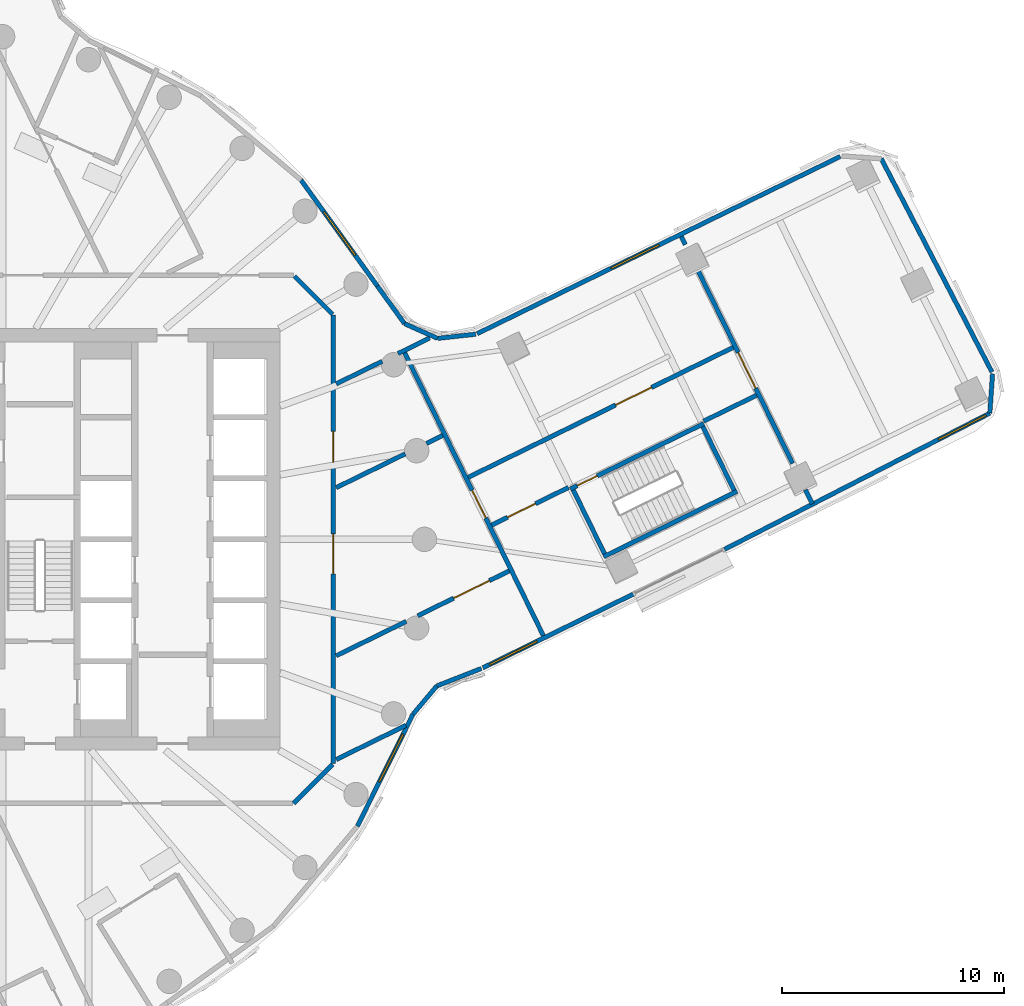
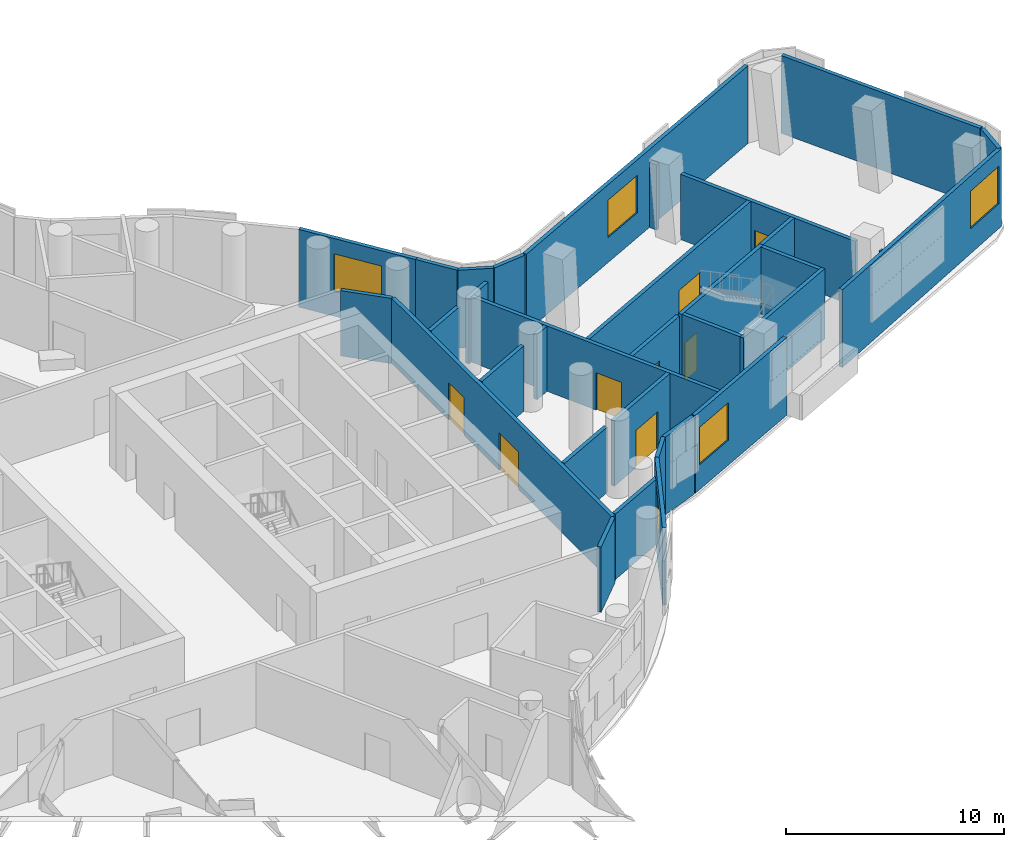
# One storey, part 14 of 23: 33 walls, 8 doors, 5 windows, 13 openings.
"""IFC4 building model written with IfcOpenShell, lengths in metres."""

from ifc_helpers import new_model, si_unit, direction, frame, frame_2d, origin, place, context, subcontext, project, spatial, polyline, rectangle, outline, extrude, material, layer, layer_set, type_object, element, fill, save


model = new_model("IFC4")

# Units and contexts
model_context = context("Model", 3, precision=1e-05, world=origin(), true_north=direction((0.0, 1.0)))
body_context = subcontext(model_context, "Body", "Model", "MODEL_VIEW")
ifc_project = project(units=[si_unit("LENGTHUNIT", "METRE"), si_unit("AREAUNIT", "SQUARE_METRE"), si_unit("VOLUMEUNIT", "CUBIC_METRE"), si_unit("PLANEANGLEUNIT", "RADIAN"), si_unit("MASSUNIT", "GRAM", prefix="KILO")], contexts=[model_context])

# Site, building, storey
site_placement = place(None, origin())
site = spatial("IfcSite", under=ifc_project, at=site_placement, CompositionType="ELEMENT")
building_placement = place(site_placement, origin())
building = spatial("IfcBuilding", under=site, at=building_placement, Name="Tamarind Cross Interchange Tower", CompositionType="ELEMENT")
storey_placement = place(building_placement, frame((0.0, 0.0, 128.5)))
storey = spatial("IfcBuildingStorey", under=building, at=storey_placement, Name="L31", CompositionType="ELEMENT", Elevation=128.5)

# Wall, opening, door
ifc_material_1 = material(Name="Gypsum board partition on steel studs", Category="steel")
ifc_layer_1 = layer(ifc_material_1, 0.199951171875)
ifc_layer_set_1 = layer_set([ifc_layer_1], Name="Gypsum board partition on steel studs")
wall_type_1 = type_object("IfcWallType", Name="Partition 200 mm EI 180", PredefinedType="PARTITIONING", material=ifc_layer_set_1)
wall_1_placement = place(storey_placement, frame((22.110107421875, 8.4072265625, 0.0), z_axis=(0.0, 0.0, 1.0), x_axis=(0.440239849569, -0.897880211861, 0.0)))
wall_1 = element("IfcWall", 1, at=wall_1_placement, inside=storey, type_object=wall_type_1, Name="Partition L31-028", PredefinedType="PARTITIONING", context=body_context, shape_type="SweptSolid", body=[
    extrude(rectangle(XDim=14.198974609375, YDim=0.199951171875, at=frame_2d((7.099609375, 0.0))), origin(), (0.0, 0.0, 1.0), 3.659912109375),
])
opening_1_placement = place(wall_1_placement, frame((6.900634765625, 0.0, 0.0)))
opening_1 = element("IfcOpeningElement", 2, at=opening_1_placement, cuts=wall_1, Name="Opening D15", PredefinedType="OPENING", context=body_context, shape_type="SweptSolid", body=[
    extrude(rectangle(XDim=1.39990234375, YDim=2.10009765625, at=frame_2d((0.699951171875, 1.050048828125))), frame((0.0, 0.10986328125, 0.0), z_axis=(0.0, -1.0, 0.0), x_axis=(1.0, 0.0, 0.0)), (0.0, 0.0, 1.0), 0.219970703125),
])
ifc_material_2 = material(Name="Fire-resisting door set")
door_type_1 = type_object("IfcDoorType", Name="Interior door 1400 x 2100 FD120S", OperationType="DOUBLE_DOOR_SINGLE_SWING", PredefinedType="DOOR", material=ifc_material_2)
door_1_placement = place(opening_1_placement, frame((1.39990234375, 0.0, 0.0), z_axis=(0.0, 0.0, 1.0), x_axis=(-1.0, 0.0, 0.0)))
door_1 = element("IfcDoor", 3, at=door_1_placement, inside=storey, type_object=door_type_1, Name="Door D15", OperationType="DOUBLE_DOOR_SINGLE_SWING", OverallHeight=2.10009765625, OverallWidth=1.39990234375, PredefinedType="DOOR", context=body_context, shape_type="SweptSolid", body=[
    extrude(rectangle(XDim=1.39990234375, YDim=2.10009765625, at=frame_2d((0.699951171875, 1.050048828125))), frame((0.0, 0.02490234375, 0.0), z_axis=(0.0, -1.0, 0.0), x_axis=(1.0, 0.0, 0.0)), (0.0, 0.0, 1.0), 0.050048828125),
])
fill(opening_1, door_1)

# Wall
wall_2_placement = place(storey_placement, frame((34.57763671875, 13.644775390625, 0.0), z_axis=(0.0, 0.0, 1.0), x_axis=(0.440005579775, -0.897995038832, 0.0)))
element("IfcWall", 4, at=wall_2_placement, inside=storey, type_object=wall_type_1, Name="Partition L31-029", PredefinedType="PARTITIONING", context=body_context, shape_type="SweptSolid", body=[
    extrude(rectangle(XDim=0.4072265625, YDim=0.199951171875, at=frame_2d((0.20361328125, 0.0))), origin(), (0.0, 0.0, 1.0), 3.659912109375),
])

# Wall, opening, door
wall_3_placement = place(storey_placement, frame((35.336181640625, 12.097900390625, 0.0), z_axis=(0.0, 0.0, 1.0), x_axis=(0.440228692366, -0.897885682266, 0.0)))
wall_3 = element("IfcWall", 5, at=wall_3_placement, inside=storey, type_object=wall_type_1, Name="Partition L31-030", PredefinedType="PARTITIONING", context=body_context, shape_type="SweptSolid", body=[
    extrude(rectangle(XDim=9.665771484375, YDim=0.199951171875, at=frame_2d((4.8330078125, 0.0))), origin(), (0.0, 0.0, 1.0), 3.659912109375),
])
opening_2_placement = place(wall_3_placement, frame((4.0908203125, 0.0, 0.0)))
opening_2 = element("IfcOpeningElement", 6, at=opening_2_placement, cuts=wall_3, Name="Opening D16", PredefinedType="OPENING", context=body_context, shape_type="SweptSolid", body=[
    extrude(rectangle(XDim=1.800048828125, YDim=2.10009765625, at=frame_2d((0.89990234375, 1.050048828125))), frame((0.0, 0.10986328125, 0.0), z_axis=(0.0, -1.0, 0.0), x_axis=(1.0, 0.0, 0.0)), (0.0, 0.0, 1.0), 0.219970703125),
])
door_type_2 = type_object("IfcDoorType", Name="Interior door 1800 x 2100 FD120S", OperationType="DOUBLE_DOOR_SINGLE_SWING", PredefinedType="DOOR", material=ifc_material_2)
door_2_placement = place(opening_2_placement, origin())
door_2 = element("IfcDoor", 7, at=door_2_placement, inside=storey, type_object=door_type_2, Name="Door D16", OperationType="DOUBLE_DOOR_SINGLE_SWING", OverallHeight=2.10009765625, OverallWidth=1.800048828125, PredefinedType="DOOR", context=body_context, shape_type="SweptSolid", body=[
    extrude(rectangle(XDim=1.800048828125, YDim=2.10009765625, at=frame_2d((0.89990234375, 1.050048828125))), frame((0.0, 0.02490234375, 0.0), z_axis=(0.0, -1.0, 0.0), x_axis=(1.0, 0.0, 0.0)), (0.0, 0.0, 1.0), 0.050048828125),
])
fill(opening_2, door_2)

# Walls
wall_4_placement = place(storey_placement, frame((40.171142578125, 2.236572265625, 0.0), z_axis=(0.0, 0.0, 1.0), x_axis=(0.440157217023, -0.897920722727, 0.0)))
element("IfcWall", 8, at=wall_4_placement, inside=storey, type_object=wall_type_1, Name="Partition L31-031", PredefinedType="PARTITIONING", context=body_context, shape_type="SweptSolid", body=[
    extrude(rectangle(XDim=0.707275390625, YDim=0.199951171875, at=frame_2d((0.353515625, 0.0))), origin(), (0.0, 0.0, 1.0), 3.659912109375),
])
wall_5_placement = place(storey_placement, frame((17.142333984375, 11.857666015625, 0.0), z_axis=(0.0, 0.0, 1.0), x_axis=(0.707106781187, -0.707106781187, 0.0)))
element("IfcWall", 9, at=wall_5_placement, inside=storey, type_object=wall_type_1, Name="Partition L31-033", PredefinedType="PARTITIONING", context=body_context, shape_type="SweptSolid", body=[
    extrude(rectangle(XDim=2.42578125, YDim=0.199951171875, at=frame_2d((1.212890625, 0.0))), origin(), (0.0, 0.0, 1.0), 3.659912109375),
])
wall_6_placement = place(storey_placement, frame((19.025634765625, -9.92236328125, 0.0), z_axis=(0.0, 0.0, 1.0), x_axis=(0.897982311867, 0.44003155293, 0.0)))
element("IfcWall", 10, at=wall_6_placement, inside=storey, type_object=wall_type_1, Name="Partition L31-060", PredefinedType="PARTITIONING", context=body_context, shape_type="SweptSolid", body=[
    extrude(rectangle(XDim=3.50146484375, YDim=0.199951171875, at=frame_2d((1.750732421875, 0.0))), origin(), (0.0, 0.0, 1.0), 3.659912109375),
])
wall_7_placement = place(storey_placement, frame((19.025634765625, -5.245361328125, 0.0), z_axis=(0.0, 0.0, 1.0), x_axis=(0.897873346888, 0.440253850578, 0.0)))
element("IfcWall", 11, at=wall_7_placement, inside=storey, type_object=wall_type_1, Name="Partition L31-061", PredefinedType="PARTITIONING", context=body_context, shape_type="SweptSolid", body=[
    extrude(rectangle(XDim=3.5146484375, YDim=0.199951171875, at=frame_2d((1.75732421875, 0.0))), origin(), (0.0, 0.0, 1.0), 3.659912109375),
])

# Wall, opening, door
wall_8_placement = place(storey_placement, frame((22.695556640625, -3.446044921875, 0.0), z_axis=(0.0, 0.0, 1.0), x_axis=(0.897866336824, 0.440268146926, 0.0)))
wall_8 = element("IfcWall", 12, at=wall_8_placement, inside=storey, type_object=wall_type_1, Name="Partition L31-062", PredefinedType="PARTITIONING", context=body_context, shape_type="SweptSolid", body=[
    extrude(rectangle(XDim=4.592529296875, YDim=0.199951171875, at=frame_2d((2.29638671875, 0.0))), origin(), (0.0, 0.0, 1.0), 3.659912109375),
])
opening_3_placement = place(wall_8_placement, frame((1.800048828125, 0.0, 0.0)))
opening_3 = element("IfcOpeningElement", 13, at=opening_3_placement, cuts=wall_8, Name="Opening D30", PredefinedType="OPENING", context=body_context, shape_type="SweptSolid", body=[
    extrude(rectangle(XDim=1.800048828125, YDim=2.10009765625, at=frame_2d((0.89990234375, 1.050048828125))), frame((0.0, 0.10986328125, 0.0), z_axis=(0.0, -1.0, 0.0), x_axis=(1.0, 0.0, 0.0)), (0.0, 0.0, 1.0), 0.219970703125),
])
door_3_placement = place(opening_3_placement, frame((1.800048828125, 0.0, 0.0), z_axis=(0.0, 0.0, 1.0), x_axis=(-1.0, 0.0, 0.0)))
door_3 = element("IfcDoor", 14, at=door_3_placement, inside=storey, type_object=door_type_2, Name="Door D30", OperationType="DOUBLE_DOOR_SINGLE_SWING", OverallHeight=2.10009765625, OverallWidth=1.800048828125, PredefinedType="DOOR", context=body_context, shape_type="SweptSolid", body=[
    extrude(rectangle(XDim=1.800048828125, YDim=2.10009765625, at=frame_2d((0.89990234375, 1.050048828125))), frame((0.0, 0.02490234375, 0.0), z_axis=(0.0, -1.0, 0.0), x_axis=(1.0, 0.0, 0.0)), (0.0, 0.0, 1.0), 0.050048828125),
])
fill(opening_3, door_3)

# Walls
wall_9_placement = place(storey_placement, frame((19.025634765625, 2.32861328125, 0.0), z_axis=(0.0, 0.0, 1.0), x_axis=(0.89787528657, 0.440249894681, 0.0)))
element("IfcWall", 15, at=wall_9_placement, inside=storey, type_object=wall_type_1, Name="Partition L31-063", PredefinedType="PARTITIONING", context=body_context, shape_type="SweptSolid", body=[
    extrude(rectangle(XDim=3.45654296875, YDim=0.199951171875, at=frame_2d((1.728271484375, 0.0))), origin(), (0.0, 0.0, 1.0), 3.659912109375),
])
wall_10_placement = place(storey_placement, frame((23.088623046875, 4.32080078125, 0.0), z_axis=(0.0, 0.0, 1.0), x_axis=(0.897911496946, 0.440176037117, 0.0)))
element("IfcWall", 16, at=wall_10_placement, inside=storey, type_object=wall_type_1, Name="Partition L31-064", PredefinedType="PARTITIONING", context=body_context, shape_type="SweptSolid", body=[
    extrude(rectangle(XDim=0.8203125, YDim=0.199951171875, at=frame_2d((0.41015625, 0.0))), origin(), (0.0, 0.0, 1.0), 3.659912109375),
])
wall_11_placement = place(storey_placement, frame((19.025634765625, 7.005615234375, 0.0), z_axis=(0.0, 0.0, 1.0), x_axis=(0.897792572547, 0.440418547156, 0.0)))
element("IfcWall", 17, at=wall_11_placement, inside=storey, type_object=wall_type_1, Name="Partition L31-065", PredefinedType="PARTITIONING", context=body_context, shape_type="SweptSolid", body=[
    extrude(rectangle(XDim=2.3037109375, YDim=0.199951171875, at=frame_2d((1.15185546875, 0.0))), origin(), (0.0, 0.0, 1.0), 3.659912109375),
])
wall_12_placement = place(storey_placement, frame((21.81298828125, 8.372802734375, 0.0), z_axis=(0.0, 0.0, 1.0), x_axis=(0.897760672244, 0.440483569924, 0.0)))
element("IfcWall", 18, at=wall_12_placement, inside=storey, type_object=wall_type_1, Name="Partition L31-066", PredefinedType="PARTITIONING", context=body_context, shape_type="SweptSolid", body=[
    extrude(rectangle(XDim=1.584716796875, YDim=0.199951171875, at=frame_2d((0.79248046875, 0.0))), origin(), (0.0, 0.0, 1.0), 3.659912109375),
])

# Wall, opening, door
wall_13_placement = place(storey_placement, frame((24.973876953125, 2.7939453125, 0.0), z_axis=(0.0, 0.0, 1.0), x_axis=(0.897851576161, 0.440298247992, 0.0)))
wall_13 = element("IfcWall", 19, at=wall_13_placement, inside=storey, type_object=wall_type_1, Name="Partition L31-067", PredefinedType="PARTITIONING", context=body_context, shape_type="SweptSolid", body=[
    extrude(rectangle(XDim=13.300048828125, YDim=0.199951171875, at=frame_2d((6.64990234375, 0.0))), origin(), (0.0, 0.0, 1.0), 3.659912109375),
])
opening_4_placement = place(wall_13_placement, frame((7.39990234375, 0.0, 0.0)))
opening_4 = element("IfcOpeningElement", 20, at=opening_4_placement, cuts=wall_13, Name="Opening D31", PredefinedType="OPENING", context=body_context, shape_type="SweptSolid", body=[
    extrude(rectangle(XDim=1.800048828125, YDim=2.10009765625, at=frame_2d((0.89990234375, 1.050048828125))), frame((0.0, 0.10986328125, 0.0), z_axis=(0.0, -1.0, 0.0), x_axis=(1.0, 0.0, 0.0)), (0.0, 0.0, 1.0), 0.219970703125),
])
door_4_placement = place(opening_4_placement, origin())
door_4 = element("IfcDoor", 21, at=door_4_placement, inside=storey, type_object=door_type_2, Name="Door D31", OperationType="DOUBLE_DOOR_SINGLE_SWING", OverallHeight=2.10009765625, OverallWidth=1.800048828125, PredefinedType="DOOR", context=body_context, shape_type="SweptSolid", body=[
    extrude(rectangle(XDim=1.800048828125, YDim=2.10009765625, at=frame_2d((0.89990234375, 1.050048828125))), frame((0.0, 0.02490234375, 0.0), z_axis=(0.0, -1.0, 0.0), x_axis=(1.0, 0.0, 0.0)), (0.0, 0.0, 1.0), 0.050048828125),
])
fill(opening_4, door_4)

wall_14_placement = place(storey_placement, frame((26.02978515625, 0.639892578125, 0.0), z_axis=(0.0, 0.0, 1.0), x_axis=(0.897879053164, 0.440242212753, 0.0)))
wall_14 = element("IfcWall", 22, at=wall_14_placement, inside=storey, type_object=wall_type_1, Name="Partition L31-068", PredefinedType="PARTITIONING", context=body_context, shape_type="SweptSolid", body=[
    extrude(rectangle(XDim=3.859619140625, YDim=0.199951171875, at=frame_2d((1.9296875, 0.0))), origin(), (0.0, 0.0, 1.0), 3.659912109375),
])
opening_5_placement = place(wall_14_placement, frame((0.800048828125, 0.0, 0.0)))
opening_5 = element("IfcOpeningElement", 23, at=opening_5_placement, cuts=wall_14, Name="Opening D32", PredefinedType="OPENING", context=body_context, shape_type="SweptSolid", body=[
    extrude(rectangle(XDim=1.39990234375, YDim=2.10009765625, at=frame_2d((0.699951171875, 1.050048828125))), frame((0.0, 0.10986328125, 0.0), z_axis=(0.0, -1.0, 0.0), x_axis=(1.0, 0.0, 0.0)), (0.0, 0.0, 1.0), 0.219970703125),
])
door_5_placement = place(opening_5_placement, frame((1.39990234375, 0.0, 0.0), z_axis=(0.0, 0.0, 1.0), x_axis=(-1.0, 0.0, 0.0)))
door_5 = element("IfcDoor", 24, at=door_5_placement, inside=storey, type_object=door_type_1, Name="Door D32", OperationType="DOUBLE_DOOR_SINGLE_SWING", OverallHeight=2.10009765625, OverallWidth=1.39990234375, PredefinedType="DOOR", context=body_context, shape_type="SweptSolid", body=[
    extrude(rectangle(XDim=1.39990234375, YDim=2.10009765625, at=frame_2d((0.699951171875, 1.050048828125))), frame((0.0, 0.02490234375, 0.0), z_axis=(0.0, -1.0, 0.0), x_axis=(1.0, 0.0, 0.0)), (0.0, 0.0, 1.0), 0.050048828125),
])
fill(opening_5, door_5)

# Walls
wall_15_placement = place(storey_placement, frame((35.58349609375, 5.323974609375, 0.0), z_axis=(0.0, 0.0, 1.0), x_axis=(0.897887294563, 0.440225403927, 0.0)))
element("IfcWall", 25, at=wall_15_placement, inside=storey, type_object=wall_type_1, Name="Partition L31-069", PredefinedType="PARTITIONING", context=body_context, shape_type="SweptSolid", body=[
    extrude(rectangle(XDim=2.660400390625, YDim=0.199951171875, at=frame_2d((1.330078125, 0.0))), origin(), (0.0, 0.0, 1.0), 3.659912109375),
])
wall_16_placement = place(storey_placement, frame((17.10009765625, -11.89990234375, 0.0), z_axis=(0.0, 0.0, 1.0), x_axis=(0.707106781187, 0.707106781187, 0.0)))
element("IfcWall", 26, at=wall_16_placement, inside=storey, type_object=wall_type_1, Name="Partition L31-071", PredefinedType="PARTITIONING", context=body_context, shape_type="SweptSolid", body=[
    extrude(rectangle(XDim=2.485595703125, YDim=0.199951171875, at=frame_2d((1.24267578125, 0.0))), origin(), (0.0, 0.0, 1.0), 3.659912109375),
])

# Wall, openings, doors
wall_17_placement = place(storey_placement, frame((18.89990234375, -10.10009765625, 0.0), z_axis=(0.0, 0.0, 1.0), x_axis=(0.0, 1.0, 0.0)))
wall_17 = element("IfcWall", 27, at=wall_17_placement, inside=storey, type_object=wall_type_1, Name="Partition L31-073", PredefinedType="PARTITIONING", context=body_context, shape_type="SweptSolid", body=[
    extrude(rectangle(XDim=20.2001953125, YDim=0.199951171875, at=frame_2d((10.10009765625, 0.0))), origin(), (0.0, 0.0, 1.0), 3.659912109375),
])
opening_6_placement = place(wall_17_placement, frame((8.54296875, 0.0, 0.0)))
opening_6 = element("IfcOpeningElement", 28, at=opening_6_placement, cuts=wall_17, Name="Opening D35", PredefinedType="OPENING", context=body_context, shape_type="SweptSolid", body=[
    extrude(rectangle(XDim=1.800048828125, YDim=2.10009765625, at=frame_2d((0.89990234375, 1.050048828125))), frame((0.0, 0.10986328125, 0.0), z_axis=(0.0, -1.0, 0.0), x_axis=(1.0, 0.0, 0.0)), (0.0, 0.0, 1.0), 0.219970703125),
])
opening_7_placement = place(wall_17_placement, frame((13.56689453125, 0.0, 0.0)))
opening_7 = element("IfcOpeningElement", 29, at=opening_7_placement, cuts=wall_17, Name="Opening D36", PredefinedType="OPENING", context=body_context, shape_type="SweptSolid", body=[
    extrude(rectangle(XDim=1.39990234375, YDim=2.10009765625, at=frame_2d((0.699951171875, 1.050048828125))), frame((0.0, 0.10986328125, 0.0), z_axis=(0.0, -1.0, 0.0), x_axis=(1.0, 0.0, 0.0)), (0.0, 0.0, 1.0), 0.219970703125),
])
door_6_placement = place(opening_7_placement, frame((1.39990234375, 0.0, 0.0), z_axis=(0.0, 0.0, 1.0), x_axis=(-1.0, 0.0, 0.0)))
door_6 = element("IfcDoor", 30, at=door_6_placement, inside=storey, type_object=door_type_1, Name="Door D36", OperationType="DOUBLE_DOOR_SINGLE_SWING", OverallHeight=2.10009765625, OverallWidth=1.39990234375, PredefinedType="DOOR", context=body_context, shape_type="SweptSolid", body=[
    extrude(rectangle(XDim=1.39990234375, YDim=2.10009765625, at=frame_2d((0.699951171875, 1.050048828125))), frame((0.0, 0.02490234375, 0.0), z_axis=(0.0, -1.0, 0.0), x_axis=(1.0, 0.0, 0.0)), (0.0, 0.0, 1.0), 0.050048828125),
])
fill(opening_7, door_6)
door_7_placement = place(opening_6_placement, origin())
door_7 = element("IfcDoor", 31, at=door_7_placement, inside=storey, type_object=door_type_2, Name="Door D35", OperationType="DOUBLE_DOOR_SINGLE_SWING", OverallHeight=2.10009765625, OverallWidth=1.800048828125, PredefinedType="DOOR", context=body_context, shape_type="SweptSolid", body=[
    extrude(rectangle(XDim=1.800048828125, YDim=2.10009765625, at=frame_2d((0.89990234375, 1.050048828125))), frame((0.0, 0.02490234375, 0.0), z_axis=(0.0, -1.0, 0.0), x_axis=(1.0, 0.0, 0.0)), (0.0, 0.0, 1.0), 0.050048828125),
])
fill(opening_6, door_7)

# Wall, opening, window
ifc_material_3 = material(Name="Precast concrete C40", Category="concrete")
ifc_layer_2 = layer(ifc_material_3, 0.199951171875)
ifc_layer_set_2 = layer_set([ifc_layer_2], Name="Precast concrete C40")
wall_type_2 = type_object("IfcWallType", Name="Refuge level external wall", PredefinedType="SOLIDWALL", material=ifc_layer_set_2)
wall_18_placement = place(storey_placement, frame((19.976806640625, -12.92919921875, 0.0), z_axis=(0.0, 0.0, 1.0), x_axis=(0.444924691548, 0.895567986727, 0.0)))
wall_18 = element("IfcWall", 32, at=wall_18_placement, inside=storey, type_object=wall_type_2, Name="RFW-L31-06-05", PredefinedType="SOLIDWALL", context=body_context, shape_type="SweptSolid", body=[
    extrude(rectangle(XDim=5.635498046875, YDim=0.199951171875, at=frame_2d((2.81787109375, 0.0))), origin(), (0.0, 0.0, 1.0), 4.360107421875),
])
opening_8_placement = place(wall_18_placement, frame((2.22998046875, 0.0, 1.39990234375)))
opening_8 = element("IfcOpeningElement", 33, at=opening_8_placement, cuts=wall_18, Name="Opening W3", PredefinedType="OPENING", context=body_context, shape_type="SweptSolid", body=[
    extrude(rectangle(XDim=2.39990234375, YDim=2.10009765625, at=frame_2d((1.199951171875, 1.050048828125))), frame((0.0, 0.10986328125, 0.0), z_axis=(0.0, -1.0, 0.0), x_axis=(1.0, 0.0, 0.0)), (0.0, 0.0, 1.0), 0.219970703125),
])
ifc_material_4 = material(Name="Aluminium and fire-resisting glass", Category="aluminium")
window_type = type_object("IfcWindowType", Name="Refuge rescue window", PartitioningType="DOUBLE_PANEL_VERTICAL", PredefinedType="WINDOW", material=ifc_material_4)
window_1_placement = place(opening_8_placement, origin())
window_1 = element("IfcWindow", 34, at=window_1_placement, inside=storey, type_object=window_type, Name="RSW-L31-06-03", OverallHeight=2.10009765625, OverallWidth=2.39990234375, PartitioningType="SINGLE_PANEL", PredefinedType="WINDOW", context=body_context, shape_type="SweptSolid", body=[
    extrude(rectangle(XDim=2.39990234375, YDim=2.10009765625, at=frame_2d((1.199951171875, 1.050048828125))), frame((0.0, 0.030029296875, 0.0), z_axis=(0.0, -1.0, 0.0), x_axis=(1.0, 0.0, 0.0)), (0.0, 0.0, 1.0), 0.06005859375),
])
fill(opening_8, window_1)

# Walls
wall_19_placement = place(storey_placement, frame((22.484130859375, -7.88232421875, 0.0), z_axis=(0.0, 0.0, 1.0), x_axis=(0.643982284825, 0.765040402091, 0.0)))
element("IfcWall", 35, at=wall_19_placement, inside=storey, type_object=wall_type_2, Name="RFW-L31-06-06", PredefinedType="SOLIDWALL", context=body_context, shape_type="SweptSolid", body=[
    extrude(rectangle(XDim=1.665771484375, YDim=0.199951171875, at=frame_2d((0.8330078125, 0.0))), origin(), (0.0, 0.0, 1.0), 4.360107421875),
])
wall_20_placement = place(storey_placement, frame((23.556884765625, -6.60791015625, 0.0), z_axis=(0.0, 0.0, 1.0), x_axis=(0.931034194342, 0.364931951145, 0.0)))
element("IfcWall", 36, at=wall_20_placement, inside=storey, type_object=wall_type_2, Name="RFW-L31-06-07", PredefinedType="SOLIDWALL", context=body_context, shape_type="SweptSolid", body=[
    extrude(rectangle(XDim=2.16015625, YDim=0.199951171875, at=frame_2d((1.080078125, 0.0))), origin(), (0.0, 0.0, 1.0), 4.360107421875),
])

# Wall, opening, window
wall_21_placement = place(storey_placement, frame((25.63232421875, -5.79248046875, 0.0), z_axis=(0.0, 0.0, 1.0), x_axis=(0.897873352821, 0.440253838477, 0.0)))
wall_21 = element("IfcWall", 37, at=wall_21_placement, inside=storey, type_object=wall_type_2, Name="RFW-L31-07-00", PredefinedType="SOLIDWALL", context=body_context, shape_type="SweptSolid", body=[
    extrude(rectangle(XDim=7.549560546875, YDim=0.199951171875, at=frame_2d((3.77490234375, 0.0))), origin(), (0.0, 0.0, 1.0), 4.360107421875),
])
opening_9_placement = place(wall_21_placement, frame((0.328369140625, 0.0, 1.39990234375)))
opening_9 = element("IfcOpeningElement", 38, at=opening_9_placement, cuts=wall_21, Name="Opening W3", PredefinedType="OPENING", context=body_context, shape_type="SweptSolid", body=[
    extrude(rectangle(XDim=2.39990234375, YDim=2.10009765625, at=frame_2d((1.199951171875, 1.050048828125))), frame((0.0, 0.10986328125, 0.0), z_axis=(0.0, -1.0, 0.0), x_axis=(1.0, 0.0, 0.0)), (0.0, 0.0, 1.0), 0.219970703125),
])
window_2_placement = place(opening_9_placement, origin())
window_2 = element("IfcWindow", 39, at=window_2_placement, inside=storey, type_object=window_type, Name="RSW-L31-07-00", OverallHeight=2.10009765625, OverallWidth=2.39990234375, PartitioningType="SINGLE_PANEL", PredefinedType="WINDOW", context=body_context, shape_type="SweptSolid", body=[
    extrude(rectangle(XDim=2.39990234375, YDim=2.10009765625, at=frame_2d((1.199951171875, 1.050048828125))), frame((0.0, 0.030029296875, 0.0), z_axis=(0.0, -1.0, 0.0), x_axis=(1.0, 0.0, 0.0)), (0.0, 0.0, 1.0), 0.06005859375),
])
fill(opening_9, window_2)

wall_22_placement = place(storey_placement, frame((36.516845703125, -0.455322265625, 0.0), z_axis=(0.0, 0.0, 1.0), x_axis=(0.889626637649, 0.456688565202, 0.0)))
wall_22 = element("IfcWall", 40, at=wall_22_placement, inside=storey, type_object=wall_type_2, Name="RFW-L31-07-10", PredefinedType="SOLIDWALL", context=body_context, shape_type="SweptSolid", body=[
    extrude(rectangle(XDim=13.445556640625, YDim=0.199951171875, at=frame_2d((6.72265625, 0.0))), origin(), (0.0, 0.0, 1.0), 4.360107421875),
])
opening_10_placement = place(wall_22_placement, frame((10.845458984375, 0.0, 1.39990234375)))
opening_10 = element("IfcOpeningElement", 41, at=opening_10_placement, cuts=wall_22, Name="Opening W3", PredefinedType="OPENING", context=body_context, shape_type="SweptSolid", body=[
    extrude(rectangle(XDim=2.39990234375, YDim=2.10009765625, at=frame_2d((1.199951171875, 1.050048828125))), frame((0.0, 0.10986328125, 0.0), z_axis=(0.0, -1.0, 0.0), x_axis=(1.0, 0.0, 0.0)), (0.0, 0.0, 1.0), 0.219970703125),
])
window_3_placement = place(opening_10_placement, origin())
window_3 = element("IfcWindow", 42, at=window_3_placement, inside=storey, type_object=window_type, Name="RSW-L31-07-05", OverallHeight=2.10009765625, OverallWidth=2.39990234375, PartitioningType="SINGLE_PANEL", PredefinedType="WINDOW", context=body_context, shape_type="SweptSolid", body=[
    extrude(rectangle(XDim=2.39990234375, YDim=2.10009765625, at=frame_2d((1.199951171875, 1.050048828125))), frame((0.0, 0.030029296875, 0.0), z_axis=(0.0, -1.0, 0.0), x_axis=(1.0, 0.0, 0.0)), (0.0, 0.0, 1.0), 0.06005859375),
])
fill(opening_10, window_3)

# Walls
wall_23_placement = place(storey_placement, frame((48.478271484375, 5.68505859375, 0.0), z_axis=(0.0, 0.0, 1.0), x_axis=(0.069512589978, 0.997581074317, 0.0)))
element("IfcWall", 43, at=wall_23_placement, inside=storey, type_object=wall_type_2, Name="RFW-L31-07-11", PredefinedType="SOLIDWALL", context=body_context, shape_type="SweptSolid", body=[
    extrude(rectangle(XDim=1.78076171875, YDim=0.199951171875, at=frame_2d((0.890380859375, 0.0))), origin(), (0.0, 0.0, 1.0), 4.360107421875),
])
wall_24_placement = place(storey_placement, frame((48.57666015625, 7.536376953125, 0.0), z_axis=(0.0, 0.0, 1.0), x_axis=(-0.460621707825, 0.887596553779, 0.0)))
element("IfcWall", 44, at=wall_24_placement, inside=storey, type_object=wall_type_2, Name="RFW-L31-08-00", PredefinedType="SOLIDWALL", context=body_context, shape_type="SweptSolid", body=[
    extrude(rectangle(XDim=10.833251953125, YDim=0.199951171875, at=frame_2d((5.41650390625, 0.0))), origin(), (0.0, 0.0, 1.0), 4.360107421875),
])

# Wall, opening, window
wall_25_placement = place(storey_placement, frame((41.735107421875, 17.250244140625, 0.0), z_axis=(0.0, 0.0, 1.0), x_axis=(-0.898694176935, -0.43857585016, 0.0)))
wall_25 = element("IfcWall", 45, at=wall_25_placement, inside=storey, type_object=wall_type_2, Name="RFW-L31-09-00", PredefinedType="SOLIDWALL", context=body_context, shape_type="SweptSolid", body=[
    extrude(rectangle(XDim=18.20068359375, YDim=0.199951171875, at=frame_2d((9.100341796875, 0.0))), origin(), (0.0, 0.0, 1.0), 4.360107421875),
])
opening_11_placement = place(wall_25_placement, frame((9.090576171875, 0.0, 1.39990234375)))
opening_11 = element("IfcOpeningElement", 46, at=opening_11_placement, cuts=wall_25, Name="Opening W3", PredefinedType="OPENING", context=body_context, shape_type="SweptSolid", body=[
    extrude(rectangle(XDim=2.39990234375, YDim=2.10009765625, at=frame_2d((1.199951171875, 1.050048828125))), frame((0.0, 0.10986328125, 0.0), z_axis=(0.0, -1.0, 0.0), x_axis=(1.0, 0.0, 0.0)), (0.0, 0.0, 1.0), 0.219970703125),
])
window_4_placement = place(opening_11_placement, origin())
window_4 = element("IfcWindow", 47, at=window_4_placement, inside=storey, type_object=window_type, Name="RSW-L31-09-02", OverallHeight=2.10009765625, OverallWidth=2.39990234375, PartitioningType="SINGLE_PANEL", PredefinedType="WINDOW", context=body_context, shape_type="SweptSolid", body=[
    extrude(rectangle(XDim=2.39990234375, YDim=2.10009765625, at=frame_2d((1.199951171875, 1.050048828125))), frame((0.0, 0.030029296875, 0.0), z_axis=(0.0, -1.0, 0.0), x_axis=(1.0, 0.0, 0.0)), (0.0, 0.0, 1.0), 0.06005859375),
])
fill(opening_11, window_4)

# Walls
wall_26_placement = place(storey_placement, frame((25.31298828125, 9.244384765625, 0.0), z_axis=(0.0, 0.0, 1.0), x_axis=(-0.993989934895, -0.109471500068, 0.0)))
element("IfcWall", 48, at=wall_26_placement, inside=storey, type_object=wall_type_2, Name="RFW-L31-10-00", PredefinedType="SOLIDWALL", context=body_context, shape_type="SweptSolid", body=[
    extrude(rectangle(XDim=1.730712890625, YDim=0.199951171875, at=frame_2d((0.865234375, 0.0))), origin(), (0.0, 0.0, 1.0), 4.360107421875),
])
wall_27_placement = place(storey_placement, frame((23.5927734375, 9.054931640625, 0.0), z_axis=(0.0, 0.0, 1.0), x_axis=(-0.913174690869, 0.407568379485, 0.0)))
element("IfcWall", 49, at=wall_27_placement, inside=storey, type_object=wall_type_2, Name="RFW-L31-10-01", PredefinedType="SOLIDWALL", context=body_context, shape_type="SweptSolid", body=[
    extrude(rectangle(XDim=1.631103515625, YDim=0.199951171875, at=frame_2d((0.8154296875, 0.0))), origin(), (0.0, 0.0, 1.0), 4.360107421875),
])
wall_28_placement = place(storey_placement, frame((22.103271484375, 9.7197265625, 0.0), z_axis=(0.0, 0.0, 1.0), x_axis=(-0.585383960687, 0.810756201685, 0.0)))
element("IfcWall", 50, at=wall_28_placement, inside=storey, type_object=wall_type_2, Name="RFW-L31-10-02", PredefinedType="SOLIDWALL", context=body_context, shape_type="SweptSolid", body=[
    extrude(rectangle(XDim=2.0908203125, YDim=0.199951171875, at=frame_2d((1.04541015625, 0.0))), origin(), (0.0, 0.0, 1.0), 4.360107421875),
])

# Wall, opening, window
wall_29_placement = place(storey_placement, frame((20.87939453125, 11.414794921875, 0.0), z_axis=(0.0, 0.0, 1.0), x_axis=(-0.584590889506, 0.811328226988, 0.0)))
wall_29 = element("IfcWall", 51, at=wall_29_placement, inside=storey, type_object=wall_type_2, Name="RFW-L31-10-03", PredefinedType="SOLIDWALL", context=body_context, shape_type="SweptSolid", body=[
    extrude(rectangle(XDim=5.8876953125, YDim=0.199951171875, at=frame_2d((2.94384765625, 0.0))), origin(), (0.0, 0.0, 1.0), 4.360107421875),
])
opening_12_placement = place(wall_29_placement, frame((1.7099609375, 0.0, 1.39990234375)))
opening_12 = element("IfcOpeningElement", 52, at=opening_12_placement, cuts=wall_29, Name="Opening W3", PredefinedType="OPENING", context=body_context, shape_type="SweptSolid", body=[
    extrude(rectangle(XDim=2.39990234375, YDim=2.10009765625, at=frame_2d((1.199951171875, 1.050048828125))), frame((0.0, 0.10986328125, 0.0), z_axis=(0.0, -1.0, 0.0), x_axis=(1.0, 0.0, 0.0)), (0.0, 0.0, 1.0), 0.219970703125),
])
window_5_placement = place(opening_12_placement, origin())
window_5 = element("IfcWindow", 53, at=window_5_placement, inside=storey, type_object=window_type, Name="RSW-L31-10-01", OverallHeight=2.10009765625, OverallWidth=2.39990234375, PartitioningType="SINGLE_PANEL", PredefinedType="WINDOW", context=body_context, shape_type="SweptSolid", body=[
    extrude(rectangle(XDim=2.39990234375, YDim=2.10009765625, at=frame_2d((1.199951171875, 1.050048828125))), frame((0.0, 0.030029296875, 0.0), z_axis=(0.0, -1.0, 0.0), x_axis=(1.0, 0.0, 0.0)), (0.0, 0.0, 1.0), 0.06005859375),
])
fill(opening_12, window_5)

# Wall, opening, door
ifc_material_5 = material(Name="Concrete C40", Category="concrete")
ifc_layer_3 = layer(ifc_material_5, 0.199951171875)
ifc_layer_set_3 = layer_set([ifc_layer_3], Name="Concrete C40")
wall_type_3 = type_object("IfcWallType", Name="Stair shaft wall 200 mm Concrete C40", PredefinedType="SHEAR", material=ifc_layer_set_3)
wall_30_placement = place(storey_placement, frame((29.57568359375, 2.2666015625, -0.179931640625), z_axis=(0.0, 0.0, 1.0), x_axis=(0.897876384519, 0.440247655443, 0.0)))
wall_30 = element("IfcWall", 54, at=wall_30_placement, inside=storey, type_object=wall_type_3, Name="Core wall CWL-L31-ST3-H", PredefinedType="SHEAR", context=body_context, shape_type="SweptSolid", body=[
    extrude(rectangle(XDim=6.7001953125, YDim=0.199951171875, at=frame_2d((3.35009765625, 0.0))), origin(), (0.0, 0.0, 1.0), 3.93994140625),
])
opening_13_placement = place(wall_30_placement, frame((0.35009765625, 0.0, 0.0)))
opening_13 = element("IfcOpeningElement", 55, at=opening_13_placement, cuts=wall_30, Name="Opening ST3L31", PredefinedType="OPENING", context=body_context, shape_type="SweptSolid", body=[
    extrude(rectangle(XDim=1.0, YDim=2.10009765625, at=frame_2d((0.5, 1.050048828125))), frame((0.0, 0.10986328125, 0.0), z_axis=(0.0, -1.0, 0.0), x_axis=(1.0, 0.0, 0.0)), (0.0, 0.0, 1.0), 0.219970703125),
])
ifc_material_6 = material(Name="Steel, fire-resisting", Category="steel")
door_type_3 = type_object("IfcDoorType", Name="Core fire door 1000 x 2100 FD90", OperationType="SINGLE_SWING_LEFT", PredefinedType="DOOR", material=ifc_material_6)
door_8_placement = place(opening_13_placement, origin())
door_8 = element("IfcDoor", 56, at=door_8_placement, inside=storey, type_object=door_type_3, Name="L31 stair door ST3", OperationType="SINGLE_SWING_LEFT", OverallHeight=2.10009765625, OverallWidth=1.0, PredefinedType="DOOR", context=body_context, shape_type="SweptSolid", body=[
    extrude(rectangle(XDim=1.0, YDim=2.10009765625, at=frame_2d((0.5, 1.050048828125))), frame((0.0, 0.02490234375, 0.0), z_axis=(0.0, -1.0, 0.0), x_axis=(1.0, 0.0, 0.0)), (0.0, 0.0, 1.0), 0.050048828125),
])
fill(opening_13, door_8)

# Walls
wall_31_placement = place(storey_placement, frame((31.072509765625, -0.785888671875, -0.179931640625), z_axis=(0.0, 0.0, 1.0), x_axis=(0.897876384519, 0.440247655443, 0.0)))
element("IfcWall", 57, at=wall_31_placement, inside=storey, type_object=wall_type_3, Name="Core wall CWL-L31-ST3-C", PredefinedType="SHEAR", context=body_context, shape_type="SweptSolid", body=[
    extrude(rectangle(XDim=6.7001953125, YDim=0.199951171875, at=frame_2d((3.35009765625, 0.0))), origin(), (0.0, 0.0, 1.0), 3.93994140625),
])
wall_32_placement = place(storey_placement, frame((31.118408203125, -0.652099609375, -0.179931640625), z_axis=(0.0, 0.0, 1.0), x_axis=(-0.440241649428, 0.89787932937, 0.0)))
element("IfcWall", 58, at=wall_32_placement, inside=storey, type_object=wall_type_3, Name="Core wall CWL-L31-ST3-CE", PredefinedType="SHEAR", context=body_context, shape_type="SweptSolid", body=[
    extrude(rectangle(XDim=3.19970703125, YDim=0.199951171875, at=frame_2d((1.599853515625, 0.0))), origin(), (0.0, 0.0, 1.0), 3.93994140625),
])
wall_33_placement = place(storey_placement, frame((0.0, 0.0, -0.179931640625)))
element("IfcWall", 59, at=wall_33_placement, inside=storey, type_object=wall_type_3, Name="Core wall CWL-L31-ST3-CF", PredefinedType="SHEAR", context=body_context, shape_type="SweptSolid", body=[
    extrude(outline(polyline([(36.86474609375, 2.165283203125), (37.044189453125, 2.25341796875), (35.635498046875, 5.126708984375), (35.4560546875, 5.03857421875), (36.86474609375, 2.165283203125)])), origin(), (0.0, 0.0, 1.0), 3.93994140625),
])

save(model, "model.ifc")
